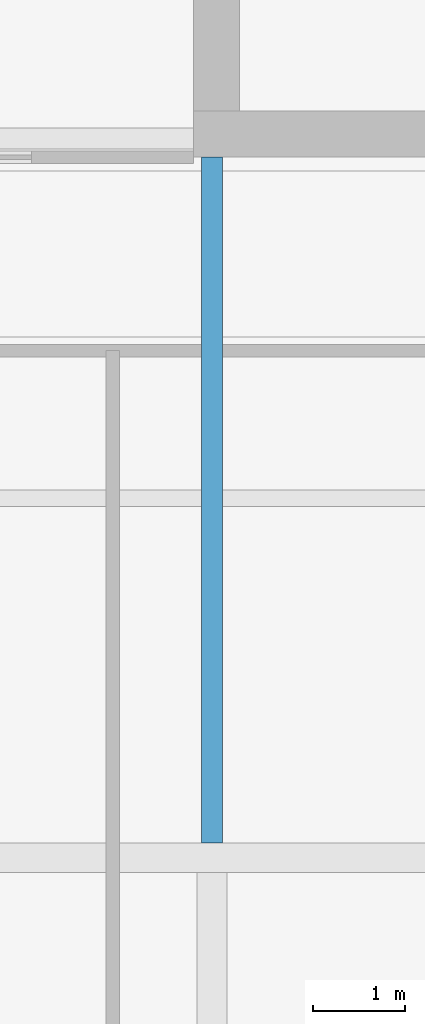
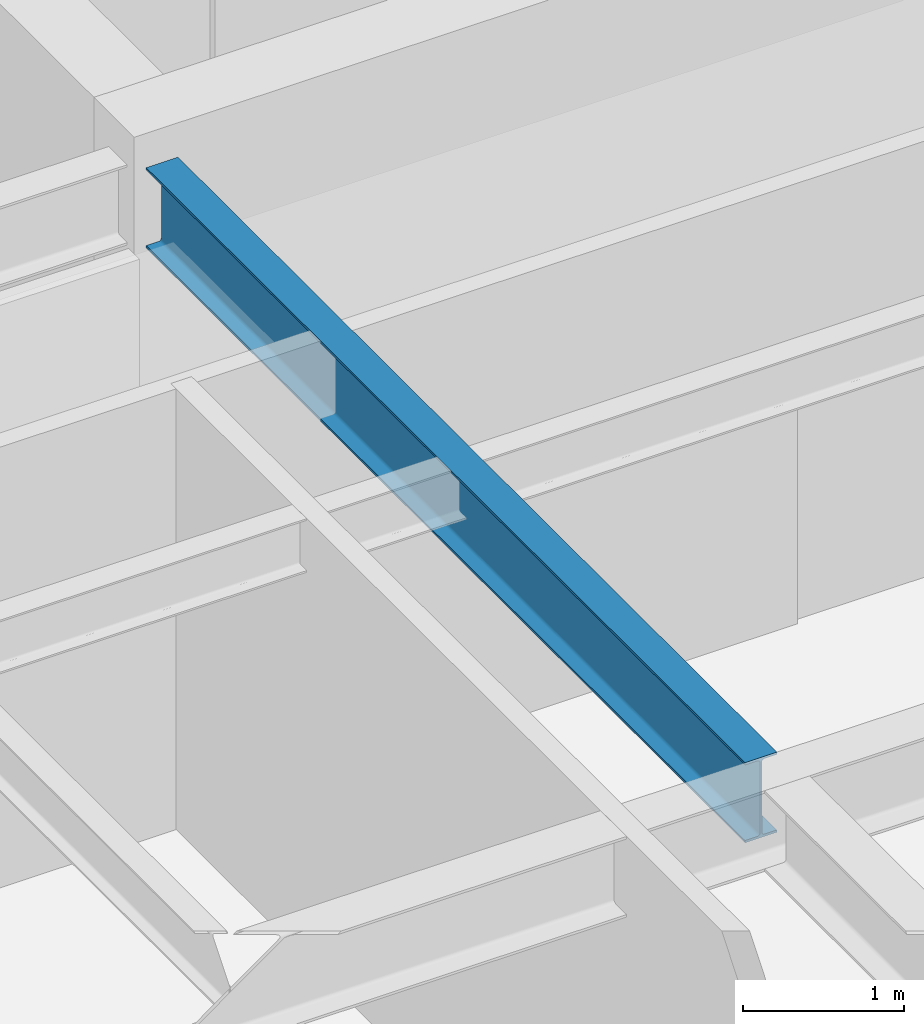
# One storey, part 6 of 32: 1 beam.
"""IFC4 building model written with IfcOpenShell, lengths in metres."""

from ifc_helpers import new_model, si_unit, direction, frame, origin, origin_2d, place, context, subcontext, project, spatial, i_section, extrude, material, material_profile, profile_set, type_object, element, save


model = new_model("IFC4")

# Units and contexts
model_context = context("Model", 3, precision=1e-05, world=origin(), true_north=direction((0.0, 1.0)))
body_context = subcontext(model_context, "Body", "Model", "MODEL_VIEW")
ifc_project = project(units=[si_unit("LENGTHUNIT", "METRE"), si_unit("AREAUNIT", "SQUARE_METRE"), si_unit("VOLUMEUNIT", "CUBIC_METRE"), si_unit("PLANEANGLEUNIT", "RADIAN"), si_unit("MASSUNIT", "GRAM", prefix="KILO")], contexts=[model_context])

# Site, building, storey
site_placement = place(None, origin())
site = spatial("IfcSite", under=ifc_project, at=site_placement, CompositionType="ELEMENT")
building_placement = place(site_placement, origin())
building = spatial("IfcBuilding", under=site, at=building_placement, Name="Drelvath Grand Hotel", CompositionType="ELEMENT")
storey_placement = place(building_placement, frame((0.0, 0.0, 237.5)))
storey = spatial("IfcBuildingStorey", under=building, at=storey_placement, Name="L62", CompositionType="ELEMENT", Elevation=237.5)

# Beam
ifc_material = material(Name="Steel ASTM A992 Gr 50", Category="steel")
ifc_material_profile = material_profile(ifc_material, i_section(OverallWidth=0.228271484375, OverallDepth=0.607666015625, WebThickness=0.01123046875, FlangeThickness=0.017333984375, FilletRadius=0.02001953125, at=origin_2d()), Name="W24X76")
ifc_profile_set = profile_set([ifc_material_profile], Name="Steel ASTM A992 Gr 50")
beam_type = type_object("IfcBeamType", Name="Primary Floor Girder W24X76", PredefinedType="BEAM", material=ifc_profile_set)
beam_placement = place(storey_placement, frame((-8.39990234375, 10.9619140625, 3.0361328125), z_axis=(0.0, 1.0, 0.0), x_axis=(-1.0, 0.0, 0.0)))
element("IfcBeam", 1, at=beam_placement, inside=storey, type_object=beam_type, Name="L62 South Core Tie 4", PredefinedType="BEAM", context=body_context, shape_type="SweptSolid", body=[
    extrude(i_section(OverallWidth=0.228271484375, OverallDepth=0.607666015625, WebThickness=0.01123046875, FlangeThickness=0.017333984375, FilletRadius=0.02001953125, at=origin_2d()), origin(), (0.0, 0.0, 1.0), 7.43798828125),
])

save(model, "model.ifc")
